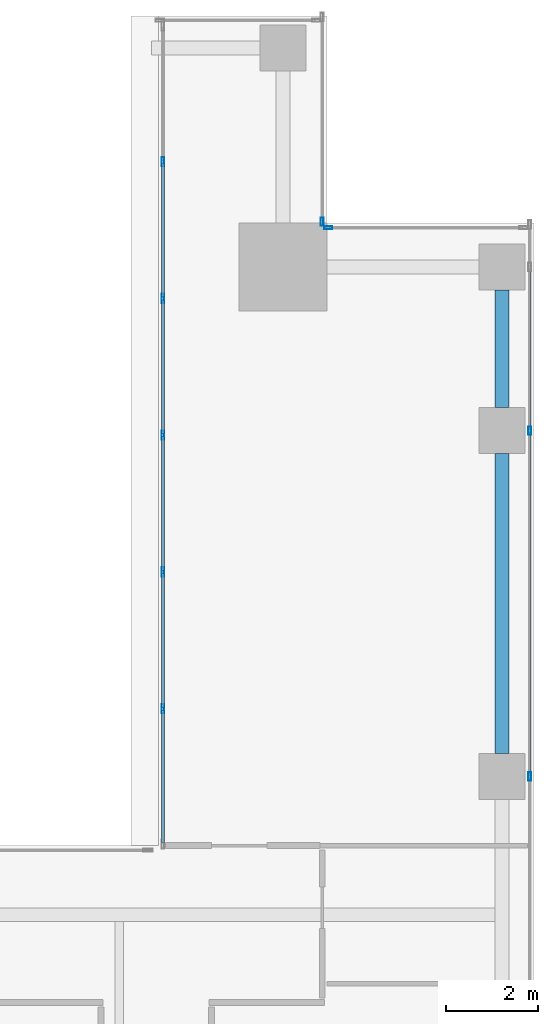
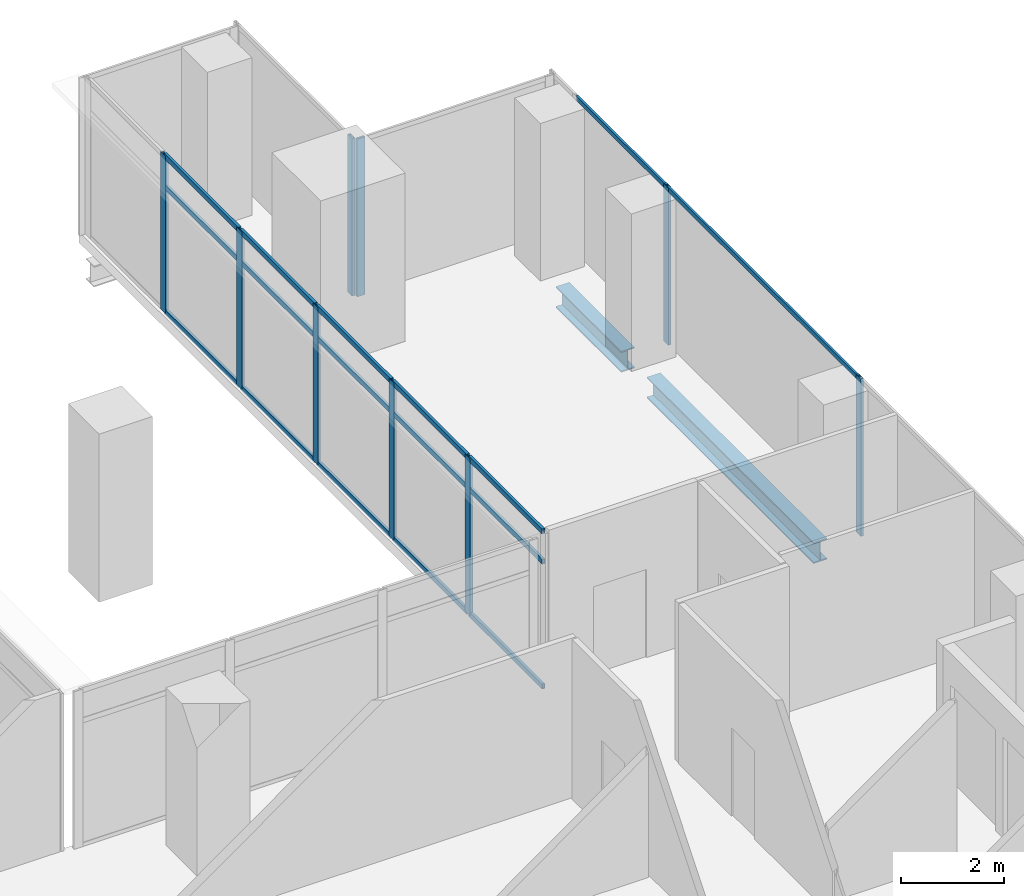
# One storey, part 25 of 38: 26 members, 2 beams, 4 elements without a shape of their own.
"""IFC4 building model written with IfcOpenShell, lengths in metres."""

from ifc_helpers import new_model, si_unit, direction, frame, origin, origin_2d, place, context, subcontext, project, spatial, hollow_rectangle, i_section, extrude, source, transform, mapped, material, material_profile, profile_set, type_object, element, aggregate, save


model = new_model("IFC4")

# Units and contexts
model_context = context("Model", 3, precision=1e-05, world=origin(), true_north=direction((0.0, 1.0)))
body_context = subcontext(model_context, "Body", "Model", "MODEL_VIEW")
ifc_project = project(units=[si_unit("LENGTHUNIT", "METRE"), si_unit("AREAUNIT", "SQUARE_METRE"), si_unit("VOLUMEUNIT", "CUBIC_METRE"), si_unit("PLANEANGLEUNIT", "RADIAN"), si_unit("MASSUNIT", "GRAM", prefix="KILO")], contexts=[model_context])

# Site, building, storey
site_placement = place(None, origin())
site = spatial("IfcSite", under=ifc_project, at=site_placement, CompositionType="ELEMENT")
building_placement = place(site_placement, origin())
building = spatial("IfcBuilding", under=site, at=building_placement, Name="Khomas Fold Tower", CompositionType="ELEMENT")
storey_placement = place(building_placement, frame((0.0, 0.0, 172.699951171875)))
storey = spatial("IfcBuildingStorey", under=building, at=storey_placement, Name="L37", CompositionType="ELEMENT", Elevation=172.699951171875)

# Beams
ifc_material_1 = material(Name="Steel S355", Category="steel")
ifc_material_profile_1 = material_profile(ifc_material_1, i_section(OverallWidth=0.300048828125, OverallDepth=0.5, WebThickness=0.014404296875, FlangeThickness=0.028076171875, at=origin_2d()), Name="HE 500 B")
ifc_profile_set_1 = profile_set([ifc_material_profile_1], Name="Steel S355")
beam_type = type_object("IfcBeamType", Name="HE 500 B spandrel SB3", PredefinedType="SPANDREL", material=ifc_profile_set_1)
shared_shape_1 = source(origin(), body_context, "Body", "SweptSolid", [
    extrude(i_section(OverallWidth=0.300048828125, OverallDepth=0.5, WebThickness=0.014404296875, FlangeThickness=0.028076171875, at=origin_2d()), origin(), (0.0, 0.0, 1.0), 2.550048828125),
])
beam_1_placement = place(storey_placement, frame((50.300048828125, 42.5, -0.5), z_axis=(0.0, 1.0, 0.0), x_axis=(-1.0, 0.0, 0.0)))
element("IfcBeam", 1, at=beam_1_placement, inside=storey, type_object=beam_type, Name="SB3", PredefinedType="SPANDREL", context=body_context, shape_type="MappedRepresentation", body=[
    mapped(shared_shape_1, transform((0.0, 0.0, 0.0))),
])
shared_shape_2 = source(origin(), body_context, "Body", "SweptSolid", [
    extrude(i_section(OverallWidth=0.300048828125, OverallDepth=0.5, WebThickness=0.014404296875, FlangeThickness=0.028076171875, at=origin_2d()), origin(), (0.0, 0.0, 1.0), 6.5),
])
beam_2_placement = place(storey_placement, frame((50.300048828125, 35.0, -0.5), z_axis=(0.0, 1.0, 0.0), x_axis=(-1.0, 0.0, 0.0)))
element("IfcBeam", 2, at=beam_2_placement, inside=storey, type_object=beam_type, Name="SB3", PredefinedType="SPANDREL", context=body_context, shape_type="MappedRepresentation", body=[
    mapped(shared_shape_2, transform((0.0, 0.0, 0.0))),
])

# Curtain wall, members
ifc_material_2 = material(Name="Aluminium framed double glazing", Category="aluminium")
curtain_wall_type_1 = type_object("IfcCurtainWallType", Name="SK-Unitised clear-glass wall, office floors CW2", PredefinedType="NOTDEFINED", material=ifc_material_2)
curtain_wall_1_placement = place(storey_placement, origin())
curtain_wall_1 = element("IfcCurtainWall", 3, at=curtain_wall_1_placement, inside=storey, type_object=curtain_wall_type_1, Name="CW2 run L37 08-1", PredefinedType="NOTDEFINED")
ifc_material_3 = material(Name="Aluminium", Category="aluminium")
ifc_material_profile_2 = material_profile(ifc_material_3, hollow_rectangle(XDim=0.06005859375, YDim=0.179931640625, WallThickness=0.00390625, at=origin_2d()), Name="SK-Unitised clear-glass wall, office floors mullion CW2-M")
ifc_profile_set_2 = profile_set([ifc_material_profile_2], Name="Aluminium")
member_type_1 = type_object("IfcMemberType", Name="SK-Unitised clear-glass wall, office floors mullion CW2-M", PredefinedType="MULLION", material=ifc_profile_set_2)
shared_shape_3 = source(origin(), body_context, "Body", "SweptSolid", [
    extrude(hollow_rectangle(XDim=0.06005859375, YDim=0.179931640625, WallThickness=0.00390625, at=origin_2d()), origin(), (0.0, 0.0, 1.0), 3.75),
])
member_1_placement = place(storey_placement, frame((50.89990234375, 34.5, 0.0), z_axis=(0.0, 0.0, 1.0), x_axis=(-1.0, 0.0, 0.0)))
member_1 = element("IfcMember", 4, at=member_1_placement, type_object=member_type_1, Name="CW2 mullion 3", PredefinedType="MULLION", context=body_context, shape_type="MappedRepresentation", body=[
    mapped(shared_shape_3, transform((0.0, 0.0, 0.0))),
])
member_2_placement = place(storey_placement, frame((50.89990234375, 42.0, 0.0), z_axis=(0.0, 0.0, 1.0), x_axis=(-1.0, 0.0, 0.0)))
member_2 = element("IfcMember", 5, at=member_2_placement, type_object=member_type_1, Name="CW2 mullion 4", PredefinedType="MULLION", context=body_context, shape_type="MappedRepresentation", body=[
    mapped(shared_shape_3, transform((0.0, 0.0, 0.0))),
])

# Curtain wall, member
curtain_wall_2_placement = place(storey_placement, origin())
curtain_wall_2 = element("IfcCurtainWall", 6, at=curtain_wall_2_placement, inside=storey, type_object=curtain_wall_type_1, Name="CW2 corner return L37 09", PredefinedType="NOTDEFINED")
member_3_placement = place(storey_placement, frame((46.530029296875, 46.39990234375, 0.0), z_axis=(0.0, 0.0, 1.0), x_axis=(0.0, -1.0, 0.0)))
member_3 = element("IfcMember", 7, at=member_3_placement, type_object=member_type_1, Name="CW2 mullion 2", PredefinedType="MULLION", context=body_context, shape_type="MappedRepresentation", body=[
    mapped(shared_shape_3, transform((0.0, 0.0, 0.0))),
])
aggregate(curtain_wall_2, [member_3])

curtain_wall_3_placement = place(storey_placement, origin())
curtain_wall_3 = element("IfcCurtainWall", 8, at=curtain_wall_3_placement, inside=storey, type_object=curtain_wall_type_1, Name="CW2 corner return L37 10", PredefinedType="NOTDEFINED")
member_4_placement = place(storey_placement, frame((46.39990234375, 46.530029296875, 0.0), z_axis=(0.0, 0.0, 1.0), x_axis=(-1.0, 0.0, 0.0)))
member_4 = element("IfcMember", 9, at=member_4_placement, type_object=member_type_1, Name="CW2 mullion 1", PredefinedType="MULLION", context=body_context, shape_type="MappedRepresentation", body=[
    mapped(shared_shape_3, transform((0.0, 0.0, 0.0))),
])
aggregate(curtain_wall_3, [member_4])

# Member
ifc_material_4 = material(Name="Aluminium", Category="aluminium")
ifc_material_profile_3 = material_profile(ifc_material_4, hollow_rectangle(XDim=0.050048828125, YDim=0.110107421875, WallThickness=0.00390625, at=origin_2d()), Name="SK-Unitised clear-glass wall, office floors transom CW2-T")
ifc_profile_set_3 = profile_set([ifc_material_profile_3], Name="Aluminium")
member_type_2 = type_object("IfcMemberType", Name="SK-Unitised clear-glass wall, office floors transom CW2-T", PredefinedType="USERDEFINED", material=ifc_profile_set_3)
shared_shape_4 = source(origin(), body_context, "Body", "SweptSolid", [
    extrude(hollow_rectangle(XDim=0.050048828125, YDim=0.110107421875, WallThickness=0.00390625, at=origin_2d()), origin(), (0.0, 0.0, 1.0), 3.489990234375),
])
member_5_placement = place(storey_placement, frame((50.89990234375, 42.030029296875, 3.695068359375), z_axis=(0.0, 1.0, 0.0), x_axis=(-1.0, 0.0, 0.0)))
member_5 = element("IfcMember", 10, at=member_5_placement, type_object=member_type_2, Name="CW2 transom 4", ObjectType="TRANSOM", PredefinedType="USERDEFINED", context=body_context, shape_type="MappedRepresentation", body=[
    mapped(shared_shape_4, transform((0.0, 0.0, 0.0))),
])

shared_shape_5 = source(origin(), body_context, "Body", "SweptSolid", [
    extrude(hollow_rectangle(XDim=0.050048828125, YDim=0.110107421875, WallThickness=0.00390625, at=origin_2d()), origin(), (0.0, 0.0, 1.0), 7.43994140625),
])
member_6_placement = place(storey_placement, frame((50.89990234375, 34.530029296875, 3.695068359375), z_axis=(0.0, 1.0, 0.0), x_axis=(-1.0, 0.0, 0.0)))
member_6 = element("IfcMember", 11, at=member_6_placement, type_object=member_type_2, Name="CW2 transom 3", ObjectType="TRANSOM", PredefinedType="USERDEFINED", context=body_context, shape_type="MappedRepresentation", body=[
    mapped(shared_shape_5, transform((0.0, 0.0, 0.0))),
])

aggregate(curtain_wall_1, [member_1, member_2, member_6, member_5])

# Curtain wall, members
ifc_material_5 = material(Name="Aluminium framed double glazing", Category="aluminium")
curtain_wall_type_2 = type_object("IfcCurtainWallType", Name="Notch glazing GN-CW", PredefinedType="NOTDEFINED", material=ifc_material_5)
curtain_wall_4_placement = place(storey_placement, origin())
curtain_wall_4 = element("IfcCurtainWall", 12, at=curtain_wall_4_placement, inside=storey, type_object=curtain_wall_type_2, Name="Notch glazing run", PredefinedType="NOTDEFINED")
ifc_material_6 = material(Name="Aluminium", Category="aluminium")
ifc_material_profile_4 = material_profile(ifc_material_6, hollow_rectangle(XDim=0.06005859375, YDim=0.1201171875, WallThickness=0.00390625, at=origin_2d()), Name="Notch glazing transom GN-CW-T")
ifc_profile_set_4 = profile_set([ifc_material_profile_4], Name="Aluminium")
member_type_3 = type_object("IfcMemberType", Name="Notch glazing transom GN-CW-T", PredefinedType="USERDEFINED", material=ifc_profile_set_4)
shared_shape_6 = source(origin(), body_context, "Body", "SweptSolid", [
    extrude(hollow_rectangle(XDim=0.06005859375, YDim=0.1201171875, WallThickness=0.00390625, at=origin_2d()), origin(), (0.0, 0.0, 1.0), 2.876708984375),
])
member_7_placement = place(storey_placement, frame((42.949951171875, 35.936767578125, 0.030029296875), z_axis=(0.0, -1.0, 0.0), x_axis=(1.0, 0.0, 0.0)))
member_7 = element("IfcMember", 13, at=member_7_placement, type_object=member_type_3, Name="GN-CW transom 6.1", ObjectType="TRANSOM", PredefinedType="USERDEFINED", context=body_context, shape_type="MappedRepresentation", body=[
    mapped(shared_shape_6, transform((0.0, 0.0, 0.0))),
])
member_8_placement = place(storey_placement, frame((42.949951171875, 35.936767578125, 3.0), z_axis=(0.0, -1.0, 0.0), x_axis=(1.0, 0.0, 0.0)))
member_8 = element("IfcMember", 14, at=member_8_placement, type_object=member_type_3, Name="GN-CW transom 6.2", ObjectType="TRANSOM", PredefinedType="USERDEFINED", context=body_context, shape_type="MappedRepresentation", body=[
    mapped(shared_shape_6, transform((0.0, 0.0, 0.0))),
])
member_9_placement = place(storey_placement, frame((42.949951171875, 35.936767578125, 3.719970703125), z_axis=(0.0, -1.0, 0.0), x_axis=(1.0, 0.0, 0.0)))
member_9 = element("IfcMember", 15, at=member_9_placement, type_object=member_type_3, Name="GN-CW transom 6.3", ObjectType="TRANSOM", PredefinedType="USERDEFINED", context=body_context, shape_type="MappedRepresentation", body=[
    mapped(shared_shape_6, transform((0.0, 0.0, 0.0))),
])
shared_shape_7 = source(origin(), body_context, "Body", "SweptSolid", [
    extrude(hollow_rectangle(XDim=0.06005859375, YDim=0.1201171875, WallThickness=0.00390625, at=origin_2d()), origin(), (0.0, 0.0, 1.0), 2.90673828125),
])
member_10_placement = place(storey_placement, frame((42.949951171875, 44.836669921875, 0.030029296875), z_axis=(0.0, -1.0, 0.0), x_axis=(1.0, 0.0, 0.0)))
member_10 = element("IfcMember", 16, at=member_10_placement, type_object=member_type_3, Name="GN-CW transom 3.1", ObjectType="TRANSOM", PredefinedType="USERDEFINED", context=body_context, shape_type="MappedRepresentation", body=[
    mapped(shared_shape_7, transform((0.0, 0.0, 0.0))),
])
member_11_placement = place(storey_placement, frame((42.949951171875, 44.836669921875, 3.0), z_axis=(0.0, -1.0, 0.0), x_axis=(1.0, 0.0, 0.0)))
member_11 = element("IfcMember", 17, at=member_11_placement, type_object=member_type_3, Name="GN-CW transom 3.2", ObjectType="TRANSOM", PredefinedType="USERDEFINED", context=body_context, shape_type="MappedRepresentation", body=[
    mapped(shared_shape_7, transform((0.0, 0.0, 0.0))),
])
member_12_placement = place(storey_placement, frame((42.949951171875, 44.836669921875, 3.719970703125), z_axis=(0.0, -1.0, 0.0), x_axis=(1.0, 0.0, 0.0)))
member_12 = element("IfcMember", 18, at=member_12_placement, type_object=member_type_3, Name="GN-CW transom 3.3", ObjectType="TRANSOM", PredefinedType="USERDEFINED", context=body_context, shape_type="MappedRepresentation", body=[
    mapped(shared_shape_7, transform((0.0, 0.0, 0.0))),
])
member_13_placement = place(storey_placement, frame((42.949951171875, 41.8701171875, 0.030029296875), z_axis=(0.0, -1.0, 0.0), x_axis=(1.0, 0.0, 0.0)))
member_13 = element("IfcMember", 19, at=member_13_placement, type_object=member_type_3, Name="GN-CW transom 4.1", ObjectType="TRANSOM", PredefinedType="USERDEFINED", context=body_context, shape_type="MappedRepresentation", body=[
    mapped(shared_shape_7, transform((0.0, 0.0, 0.0))),
])
member_14_placement = place(storey_placement, frame((42.949951171875, 41.8701171875, 3.0), z_axis=(0.0, -1.0, 0.0), x_axis=(1.0, 0.0, 0.0)))
member_14 = element("IfcMember", 20, at=member_14_placement, type_object=member_type_3, Name="GN-CW transom 4.2", ObjectType="TRANSOM", PredefinedType="USERDEFINED", context=body_context, shape_type="MappedRepresentation", body=[
    mapped(shared_shape_7, transform((0.0, 0.0, 0.0))),
])
member_15_placement = place(storey_placement, frame((42.949951171875, 41.8701171875, 3.719970703125), z_axis=(0.0, -1.0, 0.0), x_axis=(1.0, 0.0, 0.0)))
member_15 = element("IfcMember", 21, at=member_15_placement, type_object=member_type_3, Name="GN-CW transom 4.3", ObjectType="TRANSOM", PredefinedType="USERDEFINED", context=body_context, shape_type="MappedRepresentation", body=[
    mapped(shared_shape_7, transform((0.0, 0.0, 0.0))),
])
member_16_placement = place(storey_placement, frame((42.949951171875, 38.9033203125, 0.030029296875), z_axis=(0.0, -1.0, 0.0), x_axis=(1.0, 0.0, 0.0)))
member_16 = element("IfcMember", 22, at=member_16_placement, type_object=member_type_3, Name="GN-CW transom 5.1", ObjectType="TRANSOM", PredefinedType="USERDEFINED", context=body_context, shape_type="MappedRepresentation", body=[
    mapped(shared_shape_7, transform((0.0, 0.0, 0.0))),
])
member_17_placement = place(storey_placement, frame((42.949951171875, 38.9033203125, 3.0), z_axis=(0.0, -1.0, 0.0), x_axis=(1.0, 0.0, 0.0)))
member_17 = element("IfcMember", 23, at=member_17_placement, type_object=member_type_3, Name="GN-CW transom 5.2", ObjectType="TRANSOM", PredefinedType="USERDEFINED", context=body_context, shape_type="MappedRepresentation", body=[
    mapped(shared_shape_7, transform((0.0, 0.0, 0.0))),
])
member_18_placement = place(storey_placement, frame((42.949951171875, 38.9033203125, 3.719970703125), z_axis=(0.0, -1.0, 0.0), x_axis=(1.0, 0.0, 0.0)))
member_18 = element("IfcMember", 24, at=member_18_placement, type_object=member_type_3, Name="GN-CW transom 5.3", ObjectType="TRANSOM", PredefinedType="USERDEFINED", context=body_context, shape_type="MappedRepresentation", body=[
    mapped(shared_shape_7, transform((0.0, 0.0, 0.0))),
])
shared_shape_8 = source(origin(), body_context, "Body", "SweptSolid", [
    extrude(hollow_rectangle(XDim=0.06005859375, YDim=0.1201171875, WallThickness=0.00390625, at=origin_2d()), origin(), (0.0, 0.0, 1.0), 2.906494140625),
])
member_19_placement = place(storey_placement, frame((42.949951171875, 47.80322265625, 0.030029296875), z_axis=(0.0, -1.0, 0.0), x_axis=(1.0, 0.0, 0.0)))
member_19 = element("IfcMember", 25, at=member_19_placement, type_object=member_type_3, Name="GN-CW transom 2.1", ObjectType="TRANSOM", PredefinedType="USERDEFINED", context=body_context, shape_type="MappedRepresentation", body=[
    mapped(shared_shape_8, transform((0.0, 0.0, 0.0))),
])
member_20_placement = place(storey_placement, frame((42.949951171875, 47.80322265625, 3.0), z_axis=(0.0, -1.0, 0.0), x_axis=(1.0, 0.0, 0.0)))
member_20 = element("IfcMember", 26, at=member_20_placement, type_object=member_type_3, Name="GN-CW transom 2.2", ObjectType="TRANSOM", PredefinedType="USERDEFINED", context=body_context, shape_type="MappedRepresentation", body=[
    mapped(shared_shape_8, transform((0.0, 0.0, 0.0))),
])
member_21_placement = place(storey_placement, frame((42.949951171875, 47.80322265625, 3.719970703125), z_axis=(0.0, -1.0, 0.0), x_axis=(1.0, 0.0, 0.0)))
member_21 = element("IfcMember", 27, at=member_21_placement, type_object=member_type_3, Name="GN-CW transom 2.3", ObjectType="TRANSOM", PredefinedType="USERDEFINED", context=body_context, shape_type="MappedRepresentation", body=[
    mapped(shared_shape_8, transform((0.0, 0.0, 0.0))),
])
ifc_material_7 = material(Name="Aluminium", Category="aluminium")
ifc_material_profile_5 = material_profile(ifc_material_7, hollow_rectangle(XDim=0.06005859375, YDim=0.199951171875, WallThickness=0.00390625, at=origin_2d()), Name="Notch glazing mullion GN-CW-M")
ifc_profile_set_5 = profile_set([ifc_material_profile_5], Name="Aluminium")
member_type_4 = type_object("IfcMemberType", Name="Notch glazing mullion GN-CW-M", PredefinedType="MULLION", material=ifc_profile_set_5)
shared_shape_9 = source(origin(), body_context, "Body", "SweptSolid", [
    extrude(hollow_rectangle(XDim=0.06005859375, YDim=0.199951171875, WallThickness=0.00390625, at=origin_2d()), origin(), (0.0, 0.0, 1.0), 3.75),
])
member_22_placement = place(storey_placement, frame((42.949951171875, 47.833251953125, 0.0), z_axis=(0.0, 0.0, 1.0), x_axis=(1.0, 0.0, 0.0)))
member_22 = element("IfcMember", 28, at=member_22_placement, type_object=member_type_4, Name="GN-CW mullion 2", PredefinedType="MULLION", context=body_context, shape_type="MappedRepresentation", body=[
    mapped(shared_shape_9, transform((0.0, 0.0, 0.0))),
])
member_23_placement = place(storey_placement, frame((42.949951171875, 44.86669921875, 0.0), z_axis=(0.0, 0.0, 1.0), x_axis=(1.0, 0.0, 0.0)))
member_23 = element("IfcMember", 29, at=member_23_placement, type_object=member_type_4, Name="GN-CW mullion 3", PredefinedType="MULLION", context=body_context, shape_type="MappedRepresentation", body=[
    mapped(shared_shape_9, transform((0.0, 0.0, 0.0))),
])
member_24_placement = place(storey_placement, frame((42.949951171875, 41.89990234375, 0.0), z_axis=(0.0, 0.0, 1.0), x_axis=(1.0, 0.0, 0.0)))
member_24 = element("IfcMember", 30, at=member_24_placement, type_object=member_type_4, Name="GN-CW mullion 4", PredefinedType="MULLION", context=body_context, shape_type="MappedRepresentation", body=[
    mapped(shared_shape_9, transform((0.0, 0.0, 0.0))),
])
member_25_placement = place(storey_placement, frame((42.949951171875, 38.933349609375, 0.0), z_axis=(0.0, 0.0, 1.0), x_axis=(1.0, 0.0, 0.0)))
member_25 = element("IfcMember", 31, at=member_25_placement, type_object=member_type_4, Name="GN-CW mullion 5", PredefinedType="MULLION", context=body_context, shape_type="MappedRepresentation", body=[
    mapped(shared_shape_9, transform((0.0, 0.0, 0.0))),
])
member_26_placement = place(storey_placement, frame((42.949951171875, 35.966552734375, 0.0), z_axis=(0.0, 0.0, 1.0), x_axis=(1.0, 0.0, 0.0)))
member_26 = element("IfcMember", 32, at=member_26_placement, type_object=member_type_4, Name="GN-CW mullion 6", PredefinedType="MULLION", context=body_context, shape_type="MappedRepresentation", body=[
    mapped(shared_shape_9, transform((0.0, 0.0, 0.0))),
])
aggregate(curtain_wall_4, [member_22, member_23, member_24, member_25, member_26, member_19, member_20, member_21, member_10, member_11, member_12, member_13, member_14, member_15, member_16, member_17, member_18, member_7, member_8, member_9])

save(model, "model.ifc")
